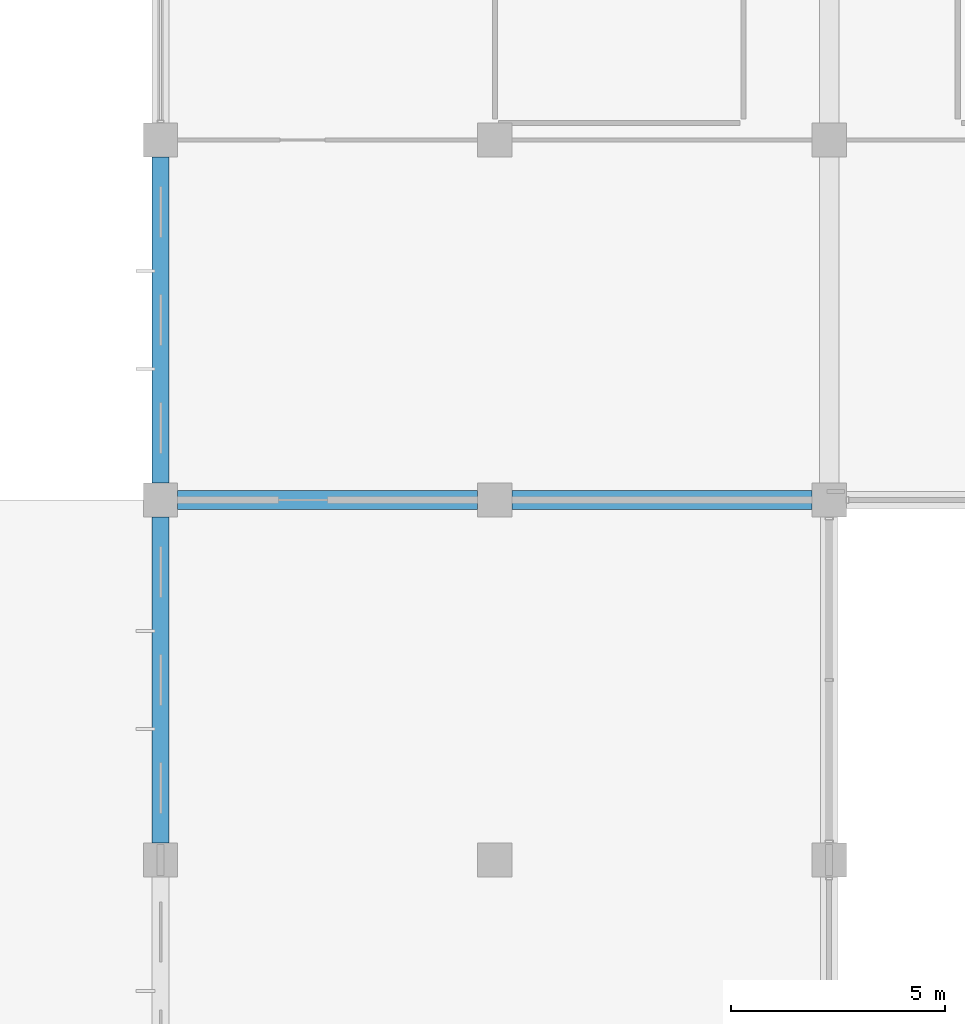
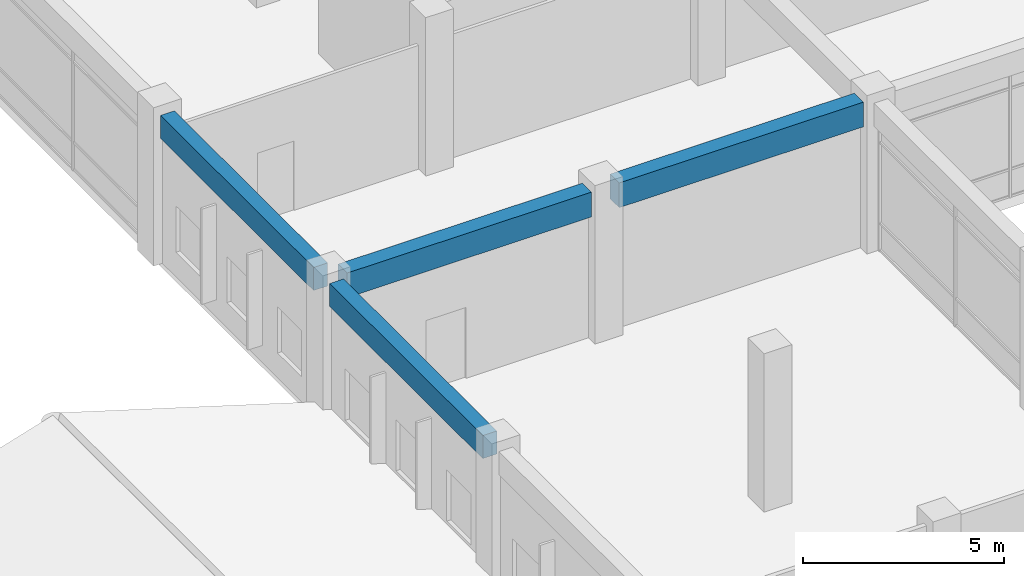
# One storey, part 15 of 62: 4 beams.
"""IFC4 building model written with IfcOpenShell, lengths in metres."""

from ifc_helpers import new_model, si_unit, direction, frame, origin, origin_2d, place, context, subcontext, project, spatial, rectangle, extrude, material, material_profile, profile_set, type_object, element, save


model = new_model("IFC4")

# Units and contexts
model_context = context("Model", 3, precision=1e-05, world=origin(), true_north=direction((0.0, 1.0)))
body_context = subcontext(model_context, "Body", "Model", "MODEL_VIEW")
ifc_project = project(units=[si_unit("LENGTHUNIT", "METRE"), si_unit("AREAUNIT", "SQUARE_METRE"), si_unit("VOLUMEUNIT", "CUBIC_METRE"), si_unit("PLANEANGLEUNIT", "RADIAN"), si_unit("MASSUNIT", "GRAM", prefix="KILO"), si_unit("THERMODYNAMICTEMPERATUREUNIT", "KELVIN"), si_unit("POWERUNIT", "WATT")], contexts=[model_context])

# Site, building, storey
site_placement = place(None, origin())
site = spatial("IfcSite", under=ifc_project, at=site_placement, CompositionType="ELEMENT")
building_placement = place(site_placement, origin())
building = spatial("IfcBuilding", under=site, at=building_placement, Name="Srebrne Nadtorze General Hospital", CompositionType="ELEMENT")
storey_placement = place(building_placement, frame((0.0, 0.0, 9.60009765625)))
storey = spatial("IfcBuildingStorey", under=building, at=storey_placement, Name="L02", CompositionType="ELEMENT", Elevation=9.60009765625)

# Beams
ifc_material_1 = material(Name="Concrete C40/50", Category="concrete")
ifc_material_profile_1 = material_profile(ifc_material_1, rectangle(XDim=0.39990234375, YDim=0.699951171875, at=origin_2d()), Name="RC-BM-400x700")
ifc_profile_set_1 = profile_set([ifc_material_profile_1], Name="Concrete C40/50")
beam_type_1 = type_object("IfcBeamType", Name="Edge beam RC 400x700", PredefinedType="BEAM", material=ifc_profile_set_1)
beam_1_placement = place(storey_placement, frame((101.39990234375, 17.199951171875, 4.14990234375), z_axis=(0.0, 1.0, 0.0), x_axis=(-1.0, 0.0, 0.0)))
element("IfcBeam", 1, at=beam_1_placement, inside=storey, type_object=beam_type_1, Name="Beam BM-L02-Y-0674", PredefinedType="BEAM", context=body_context, shape_type="SweptSolid", body=[
    extrude(rectangle(XDim=0.39990234375, YDim=0.699951171875, at=origin_2d()), origin(), (0.0, 0.0, 1.0), 7.60009765625),
])
beam_2_placement = place(storey_placement, frame((101.39990234375, 25.60009765625, 4.14990234375), z_axis=(0.0, 1.0, 0.0), x_axis=(-1.0, 0.0, 0.0)))
element("IfcBeam", 2, at=beam_2_placement, inside=storey, type_object=beam_type_1, Name="Beam BM-L02-Y-0675", PredefinedType="BEAM", context=body_context, shape_type="SweptSolid", body=[
    extrude(rectangle(XDim=0.39990234375, YDim=0.699951171875, at=origin_2d()), origin(), (0.0, 0.0, 1.0), 7.599853515625),
])
ifc_material_2 = material(Name="Concrete C40/50", Category="concrete")
ifc_material_profile_2 = material_profile(ifc_material_2, rectangle(XDim=0.449951171875, YDim=0.75, at=origin_2d()), Name="RC-BM-450x750")
ifc_profile_set_2 = profile_set([ifc_material_profile_2], Name="Concrete C40/50")
beam_type_2 = type_object("IfcBeamType", Name="Primary beam RC 450x750", PredefinedType="BEAM", material=ifc_profile_set_2)
for number, where, z_axis, x_axis, name in (
    (3, (101.800048828125, 25.199951171875, 4.125), (1.0, 0.0, 0.0), (0.0, 1.0, 0.0), "Beam BM-L02-X-0569"),
    (4, (109.60009765625, 25.199951171875, 4.125), (1.0, 0.0, 0.0), (0.0, 1.0, 0.0), "Beam BM-L02-X-0570"),
):
    element("IfcBeam", number, at=place(storey_placement, frame(where, z_axis=z_axis, x_axis=x_axis)), inside=storey, type_object=beam_type_2, Name=name, PredefinedType="BEAM", context=body_context, shape_type="SweptSolid", body=[
        extrude(rectangle(XDim=0.449951171875, YDim=0.75, at=origin_2d()), origin(), (0.0, 0.0, 1.0), 7.0),
    ])

save(model, "model.ifc")
